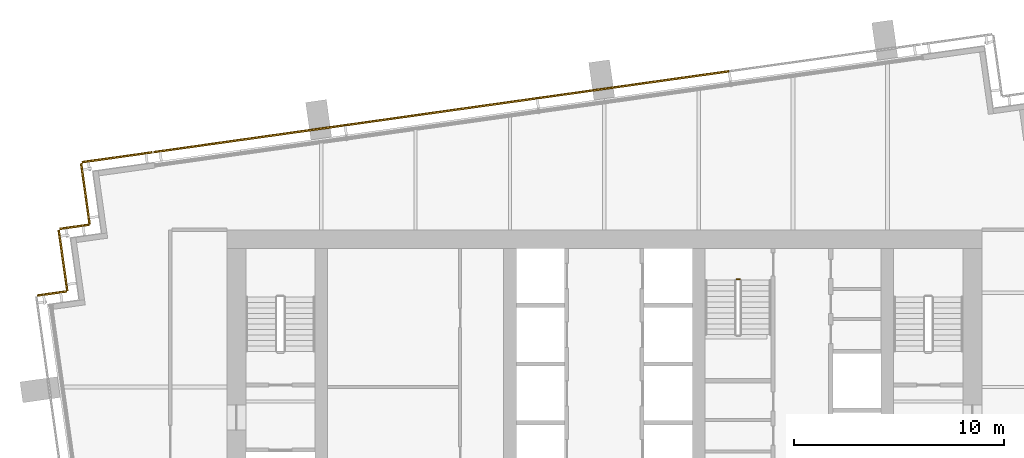
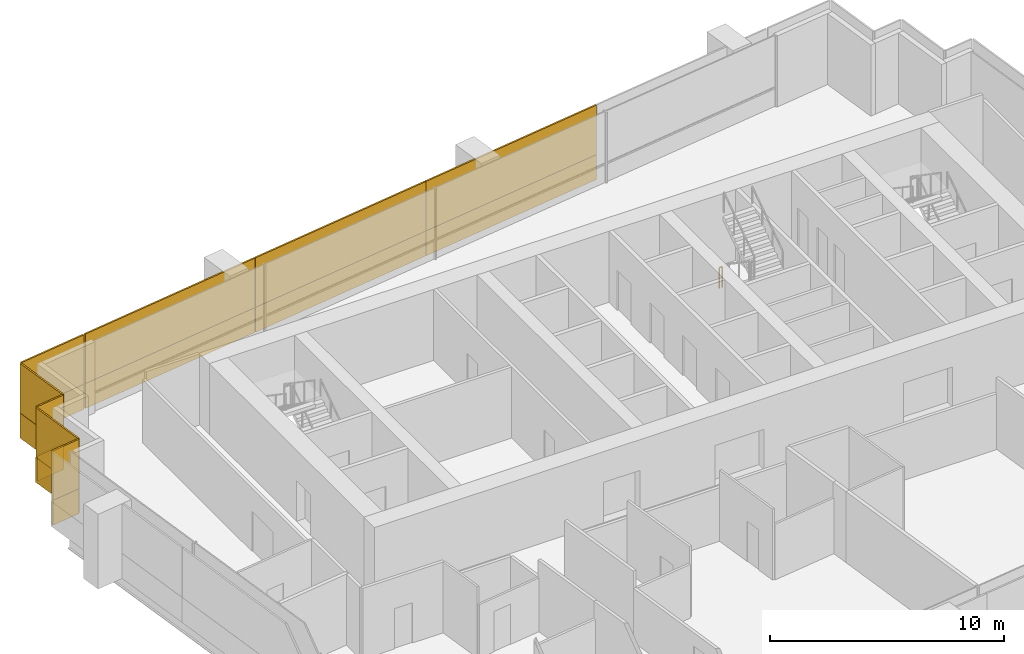
# One storey, part 14 of 15: 16 coverings, 1 railing.
"""IFC4 building model written with IfcOpenShell, lengths in metres."""

from ifc_helpers import new_model, si_unit, direction, frame, origin, origin_2d, place, context, subcontext, project, spatial, rectangle, extrude, material, layer, layer_set, type_object, element, save


model = new_model("IFC4")

# Units and contexts
model_context = context("Model", 3, precision=1e-05, world=origin(), true_north=direction((0.0, 1.0)))
body_context = subcontext(model_context, "Body", "Model", "MODEL_VIEW")
ifc_project = project(units=[si_unit("LENGTHUNIT", "METRE"), si_unit("AREAUNIT", "SQUARE_METRE"), si_unit("VOLUMEUNIT", "CUBIC_METRE"), si_unit("PLANEANGLEUNIT", "RADIAN"), si_unit("MASSUNIT", "GRAM", prefix="KILO")], contexts=[model_context])

# Site, building, storey
site_placement = place(None, origin())
site = spatial("IfcSite", under=ifc_project, at=site_placement, CompositionType="ELEMENT")
building_placement = place(site_placement, origin())
building = spatial("IfcBuilding", under=site, at=building_placement, Name="Rattan Terrace Tower", CompositionType="ELEMENT")
storey_placement = place(building_placement, frame((0.0, 0.0, 274.60009765625)))
storey = spatial("IfcBuildingStorey", under=building, at=storey_placement, Name="L63", CompositionType="ELEMENT", Elevation=274.60009765625)

# Railing
ifc_material_1 = material(Name="Powder-coated steel guard", Category="steel")
railing_type = type_object("IfcRailingType", Name="Core stair guard", PredefinedType="GUARDRAIL", material=ifc_material_1)
railing_placement = place(storey_placement, frame((6.300048828125, 5.14990234375, 0.0)))
element("IfcRailing", 1, at=railing_placement, inside=storey, type_object=railing_type, Name="L63 S3 stair guard 4", PredefinedType="GUARDRAIL", context=body_context, shape_type="SweptSolid", body=[
    extrude(rectangle(XDim=0.048095703125, YDim=0.048095703125, at=origin_2d()), frame((0.0, 0.0, 1.076171875), z_axis=(1.0, 0.0, 0.0), x_axis=(0.0, 1.0, 0.0)), (0.0, 0.0, 1.0), 0.14990234375),
    extrude(rectangle(XDim=0.0419921875, YDim=0.0419921875, at=origin_2d()), origin(), (0.0, 0.0, 1.0), 1.052001953125),
    extrude(rectangle(XDim=0.0419921875, YDim=0.0419921875, at=origin_2d()), frame((0.14990234375, 0.0, 0.0)), (0.0, 0.0, 1.0), 1.052001953125),
])

# Coverings
ifc_material_2 = material(Name="Solid terracotta", Category="masonry")
ifc_layer_1 = layer(ifc_material_2, 0.090087890625)
ifc_layer_set_1 = layer_set([ifc_layer_1], Name="Facade Terracotta Band Panel HZ")
covering_type_1 = type_object("IfcCoveringType", Name="Facade Terracotta Band Panel HZ", PredefinedType="CLADDING", material=ifc_layer_set_1)
for number, where, z_axis, x_axis, name in (
    (2, (1.372802734375, 14.41943359375, -0.18994140625), (0.0, 0.0, 1.0), (-0.990265894013, -0.139188574079, 0.0), "OUTER SKIN panel L63-15A"),
    (3, (-7.7861328125, 13.132080078125, -0.18994140625), (0.0, 0.0, 1.0), (-0.990265894013, -0.139188574079, 0.0), "OUTER SKIN panel L63-16A"),
):
    element("IfcCovering", number, at=place(storey_placement, frame(where, z_axis=z_axis, x_axis=x_axis)), inside=storey, type_object=covering_type_1, Name=name, PredefinedType="CLADDING", context=body_context, shape_type="SweptSolid", body=[
        extrude(rectangle(XDim=9.22900390625, YDim=0.090087890625, at=origin_2d()), origin(), (0.0, 0.0, 1.0), 1.300048828125),
    ])
covering_1_placement = place(storey_placement, frame((-16.932373046875, 11.846435546875, -0.18994140625), z_axis=(0.0, 0.0, 1.0), x_axis=(-0.990265894013, -0.139188574079, 0.0)))
element("IfcCovering", 4, at=covering_1_placement, inside=storey, type_object=covering_type_1, Name="OUTER SKIN panel L63-17A", PredefinedType="CLADDING", context=body_context, shape_type="SweptSolid", body=[
    extrude(rectangle(XDim=9.203125, YDim=0.090087890625, at=origin_2d()), origin(), (0.0, 0.0, 1.0), 1.300048828125),
])
covering_2_placement = place(storey_placement, frame((-23.237060546875, 10.960693359375, -0.18994140625), z_axis=(0.0, 0.0, 1.0), x_axis=(-0.990293172258, -0.138994363123, 0.0)))
element("IfcCovering", 5, at=covering_2_placement, inside=storey, type_object=covering_type_1, Name="OUTER SKIN panel L63-18A", PredefinedType="CLADDING", context=body_context, shape_type="SweptSolid", body=[
    extrude(rectangle(XDim=3.3701171875, YDim=0.090087890625, at=origin_2d()), origin(), (0.0, 0.0, 1.0), 1.300048828125),
])
covering_3_placement = place(storey_placement, frame((-24.74951171875, 9.218505859375, -0.18994140625), z_axis=(0.0, 0.0, 1.0), x_axis=(0.138994363123, -0.990293172258, 0.0)))
element("IfcCovering", 6, at=covering_3_placement, inside=storey, type_object=covering_type_1, Name="OUTER SKIN panel L63-19A", PredefinedType="CLADDING", context=body_context, shape_type="SweptSolid", body=[
    extrude(rectangle(XDim=2.92041015625, YDim=0.090087890625, at=origin_2d()), origin(), (0.0, 0.0, 1.0), 1.300048828125),
])
covering_4_placement = place(storey_placement, frame((-25.270751953125, 7.645263671875, -0.18994140625), z_axis=(0.0, 0.0, 1.0), x_axis=(-0.990240767803, -0.139367219175, 0.0)))
element("IfcCovering", 7, at=covering_4_placement, inside=storey, type_object=covering_type_1, Name="OUTER SKIN panel L63-20A", PredefinedType="CLADDING", context=body_context, shape_type="SweptSolid", body=[
    extrude(rectangle(XDim=1.419921875, YDim=0.090087890625, at=origin_2d()), origin(), (0.0, 0.0, 1.0), 1.300048828125),
])
covering_5_placement = place(storey_placement, frame((-25.817138671875, 6.038818359375, -0.18994140625), z_axis=(0.0, 0.0, 1.0), x_axis=(0.139367219175, -0.990240767803, 0.0)))
element("IfcCovering", 8, at=covering_5_placement, inside=storey, type_object=covering_type_1, Name="OUTER SKIN panel L63-21A", PredefinedType="CLADDING", context=body_context, shape_type="SweptSolid", body=[
    extrude(rectangle(XDim=2.919189453125, YDim=0.090087890625, at=origin_2d()), origin(), (0.0, 0.0, 1.0), 1.300048828125),
])
covering_6_placement = place(storey_placement, frame((-26.33837890625, 4.46630859375, -0.18994140625), z_axis=(0.0, 0.0, 1.0), x_axis=(-0.99025370695, -0.139275252184, 0.0)))
element("IfcCovering", 9, at=covering_6_placement, inside=storey, type_object=covering_type_1, Name="OUTER SKIN panel L63-22A", PredefinedType="CLADDING", context=body_context, shape_type="SweptSolid", body=[
    extrude(rectangle(XDim=1.420654296875, YDim=0.090087890625, at=origin_2d()), origin(), (0.0, 0.0, 1.0), 1.300048828125),
])
ifc_material_3 = material(Name="Perforated terracotta", Category="masonry")
ifc_layer_2 = layer(ifc_material_3, 0.080078125)
ifc_layer_set_2 = layer_set([ifc_layer_2], Name="Facade Terracotta Screen Panel HZ")
covering_type_2 = type_object("IfcCoveringType", Name="Facade Terracotta Screen Panel HZ", PredefinedType="CLADDING", material=ifc_layer_set_2)
for number, where, z_axis, x_axis, name in (
    (10, (1.37353515625, 14.41455078125, 1.10986328125), (0.0, 0.0, 1.0), (-0.990265894013, -0.139188574079, 0.0), "OUTER SKIN panel L63-15B"),
    (11, (-7.785400390625, 13.127197265625, 1.10986328125), (0.0, 0.0, 1.0), (-0.990265894013, -0.139188574079, 0.0), "OUTER SKIN panel L63-16B"),
):
    element("IfcCovering", number, at=place(storey_placement, frame(where, z_axis=z_axis, x_axis=x_axis)), inside=storey, type_object=covering_type_2, Name=name, PredefinedType="CLADDING", context=body_context, shape_type="SweptSolid", body=[
        extrude(rectangle(XDim=9.22900390625, YDim=0.080078125, at=origin_2d()), origin(), (0.0, 0.0, 1.0), 2.580078125),
    ])
covering_7_placement = place(storey_placement, frame((-16.931640625, 11.841552734375, 1.10986328125), z_axis=(0.0, 0.0, 1.0), x_axis=(-0.990265894013, -0.139188574079, 0.0)))
element("IfcCovering", 12, at=covering_7_placement, inside=storey, type_object=covering_type_2, Name="OUTER SKIN panel L63-17B", PredefinedType="CLADDING", context=body_context, shape_type="SweptSolid", body=[
    extrude(rectangle(XDim=9.203125, YDim=0.080078125, at=origin_2d()), origin(), (0.0, 0.0, 1.0), 2.580078125),
])
covering_8_placement = place(storey_placement, frame((-23.236328125, 10.955810546875, 1.10986328125), z_axis=(0.0, 0.0, 1.0), x_axis=(-0.990293172258, -0.138994363123, 0.0)))
element("IfcCovering", 13, at=covering_8_placement, inside=storey, type_object=covering_type_2, Name="OUTER SKIN panel L63-18B", PredefinedType="CLADDING", context=body_context, shape_type="SweptSolid", body=[
    extrude(rectangle(XDim=3.3701171875, YDim=0.080078125, at=origin_2d()), origin(), (0.0, 0.0, 1.0), 2.580078125),
])
covering_9_placement = place(storey_placement, frame((-24.74462890625, 9.218994140625, 1.10986328125), z_axis=(0.0, 0.0, 1.0), x_axis=(0.138994363123, -0.990293172258, 0.0)))
element("IfcCovering", 14, at=covering_9_placement, inside=storey, type_object=covering_type_2, Name="OUTER SKIN panel L63-19B", PredefinedType="CLADDING", context=body_context, shape_type="SweptSolid", body=[
    extrude(rectangle(XDim=2.92041015625, YDim=0.080078125, at=origin_2d()), origin(), (0.0, 0.0, 1.0), 2.580078125),
])
covering_10_placement = place(storey_placement, frame((-25.27001953125, 7.640380859375, 1.10986328125), z_axis=(0.0, 0.0, 1.0), x_axis=(-0.990240767803, -0.139367219175, 0.0)))
element("IfcCovering", 15, at=covering_10_placement, inside=storey, type_object=covering_type_2, Name="OUTER SKIN panel L63-20B", PredefinedType="CLADDING", context=body_context, shape_type="SweptSolid", body=[
    extrude(rectangle(XDim=1.419921875, YDim=0.080078125, at=origin_2d()), origin(), (0.0, 0.0, 1.0), 2.580078125),
])
covering_11_placement = place(storey_placement, frame((-25.812255859375, 6.03955078125, 1.10986328125), z_axis=(0.0, 0.0, 1.0), x_axis=(0.139367219175, -0.990240767803, 0.0)))
element("IfcCovering", 16, at=covering_11_placement, inside=storey, type_object=covering_type_2, Name="OUTER SKIN panel L63-21B", PredefinedType="CLADDING", context=body_context, shape_type="SweptSolid", body=[
    extrude(rectangle(XDim=2.919189453125, YDim=0.080078125, at=origin_2d()), origin(), (0.0, 0.0, 1.0), 2.580078125),
])
covering_12_placement = place(storey_placement, frame((-26.337646484375, 4.46142578125, 1.10986328125), z_axis=(0.0, 0.0, 1.0), x_axis=(-0.99025370695, -0.139275252184, 0.0)))
element("IfcCovering", 17, at=covering_12_placement, inside=storey, type_object=covering_type_2, Name="OUTER SKIN panel L63-22B", PredefinedType="CLADDING", context=body_context, shape_type="SweptSolid", body=[
    extrude(rectangle(XDim=1.420654296875, YDim=0.080078125, at=origin_2d()), origin(), (0.0, 0.0, 1.0), 2.580078125),
])

save(model, "model.ifc")
